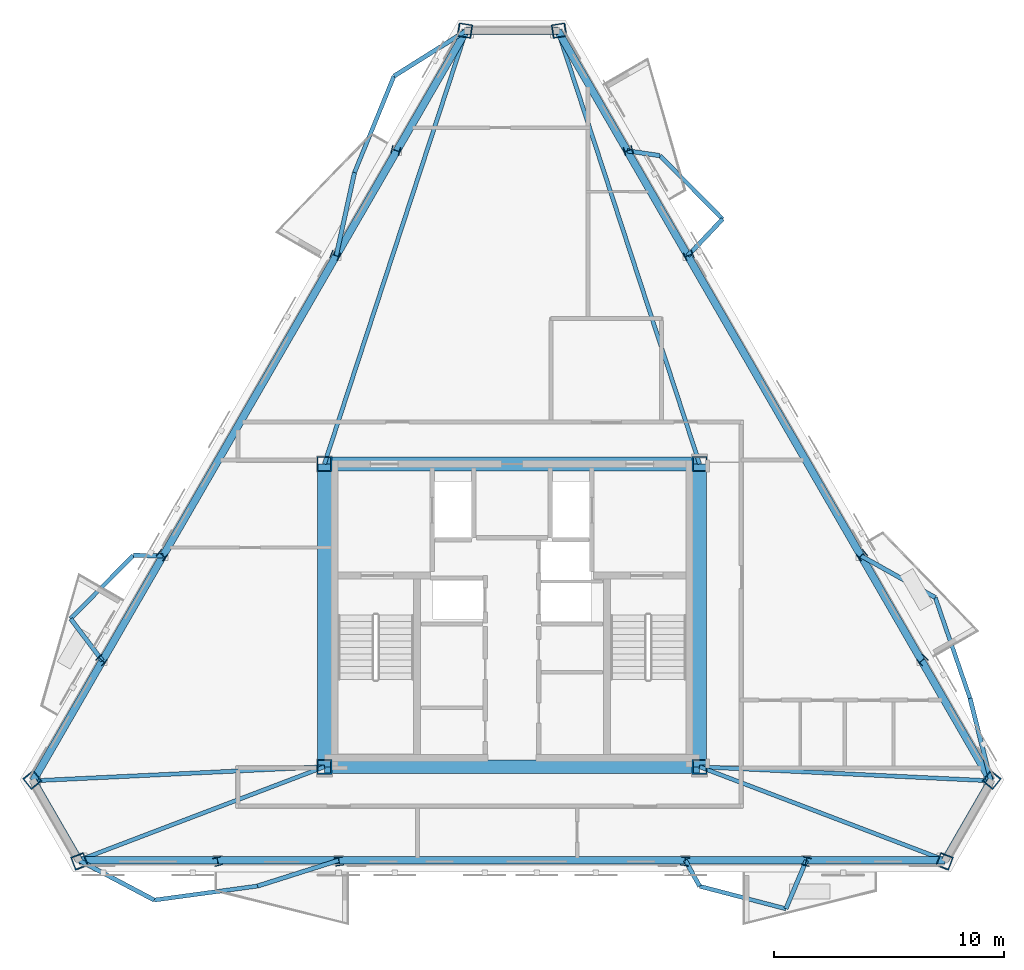
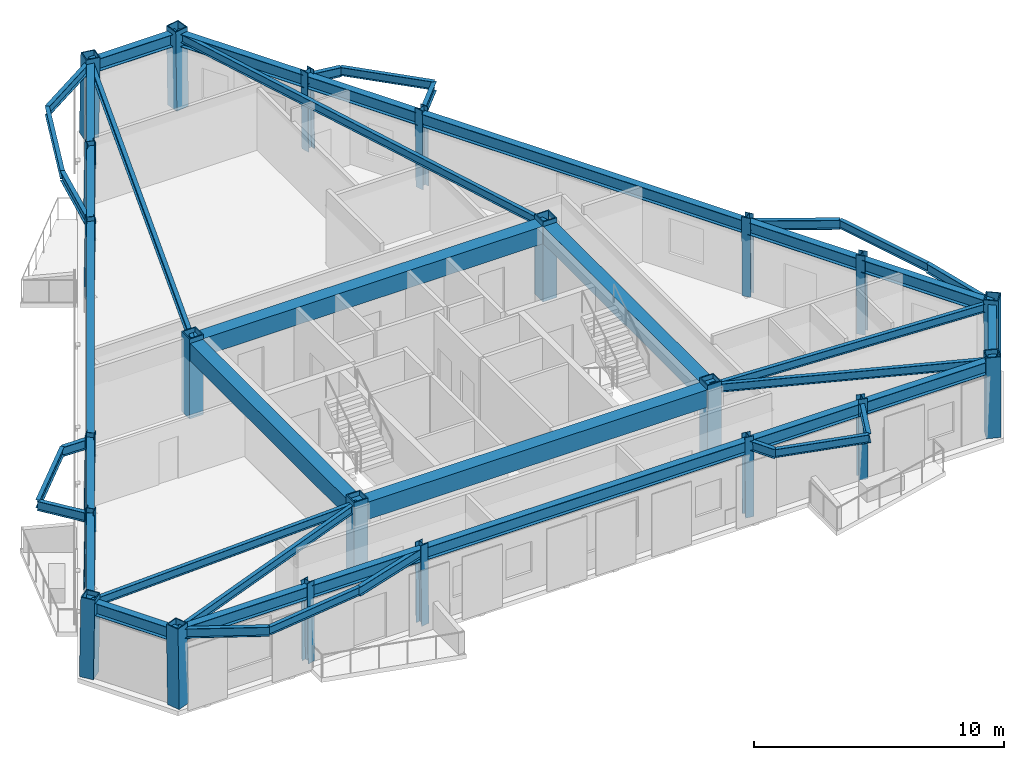
# One storey, part 1 of 9: 46 beams, 22 columns.
"""IFC4 building model written with IfcOpenShell, lengths in metres."""

from ifc_helpers import new_model, si_unit, direction, frame, origin, origin_2d, place, context, subcontext, project, spatial, rectangle, hollow_rectangle, i_section, extrude, material, material_profile, profile_set, type_object, element, save


model = new_model("IFC4")

# Units and contexts
model_context = context("Model", 3, precision=1e-05, world=origin(), true_north=direction((0.0, 1.0)))
body_context = subcontext(model_context, "Body", "Model", "MODEL_VIEW")
ifc_project = project(units=[si_unit("LENGTHUNIT", "METRE"), si_unit("AREAUNIT", "SQUARE_METRE"), si_unit("VOLUMEUNIT", "CUBIC_METRE"), si_unit("PLANEANGLEUNIT", "RADIAN"), si_unit("MASSUNIT", "GRAM", prefix="KILO")], contexts=[model_context])

# Site, building, storey
site_placement = place(None, origin())
site = spatial("IfcSite", under=ifc_project, at=site_placement, CompositionType="ELEMENT")
building_placement = place(site_placement, origin())
building = spatial("IfcBuilding", under=site, at=building_placement, Name="Oramaril Tower", CompositionType="ELEMENT")
storey_placement = place(building_placement, frame((0.0, 0.0, 292.800048828125)))
storey = spatial("IfcBuildingStorey", under=building, at=storey_placement, Name="L77", CompositionType="ELEMENT", Elevation=292.800048828125)

# Columns
ifc_material_1 = material(Name="Steel ASTM A572 Gr 50", Category="steel")
ifc_material_profile_1 = material_profile(ifc_material_1, hollow_rectangle(XDim=0.64990234375, YDim=0.64990234375, WallThickness=0.050048828125, at=origin_2d()), Name="BOX650X650X50")
ifc_profile_set_1 = profile_set([ifc_material_profile_1], Name="Steel ASTM A572 Gr 50")
column_type_1 = type_object("IfcColumnType", Name="CT-CC5", PredefinedType="COLUMN", material=ifc_profile_set_1)
for number, where, z_axis, x_axis, name in (
    (1, (29.35009765625, 11.0, 0.0), (0.0, 0.0, 1.0), (1.0, 0.0, 0.0), "L77 Core Column CC-1"),
    (2, (45.64990234375, 11.0, 0.0), (0.0, 0.0, 1.0), (1.0, 0.0, 0.0), "L77 Core Column CC-2"),
    (3, (45.64990234375, 24.14990234375, 0.0), (0.0, 0.0, 1.0), (1.0, 0.0, 0.0), "L77 Core Column CC-3"),
    (4, (29.35009765625, 24.14990234375, 0.0), (0.0, 0.0, 1.0), (1.0, 0.0, 0.0), "L77 Core Column CC-4"),
):
    element("IfcColumn", number, at=place(storey_placement, frame(where, z_axis=z_axis, x_axis=x_axis)), inside=storey, type_object=column_type_1, Name=name, PredefinedType="COLUMN", context=body_context, shape_type="SweptSolid", body=[
        extrude(hollow_rectangle(XDim=0.64990234375, YDim=0.64990234375, WallThickness=0.050048828125, at=origin_2d()), origin(), (0.0, 0.0, 1.0), 3.89990234375),
    ])
ifc_material_2 = material(Name="Steel ASTM A572 Gr 50", Category="steel")
ifc_material_profile_2 = material_profile(ifc_material_2, hollow_rectangle(XDim=0.60009765625, YDim=0.60009765625, WallThickness=0.044921875, at=origin_2d()), Name="BOX600X600X45")
ifc_profile_set_2 = profile_set([ifc_material_profile_2], Name="Steel ASTM A572 Gr 50")
column_type_2 = type_object("IfcColumnType", Name="CT-TC5", PredefinedType="COLUMN", material=ifc_profile_set_2)
for number, where, z_axis, x_axis, name in (
    (5, (16.66259765625, 10.439208984375, 0.00439453125), (0.009786734483, -0.012170682627, 0.999878039719), (0.779298739591, 0.626652594722, 0.0), "L77 Tube Column TC-01"),
    (6, (18.71484375, 6.884521484375, 0.00439453125), (-0.005646188338, 0.014617354253, 0.999877219218), (-0.932828720019, -0.360320106445, 0.0), "L77 Tube Column TC-02"),
    (7, (56.28515625, 6.884521484375, 0.00439453125), (0.005646188338, 0.014617354253, 0.999877219218), (-0.932828720019, 0.360320106445, 0.0), "L77 Tube Column TC-03"),
    (8, (58.33740234375, 10.439208984375, 0.00439453125), (-0.009786734483, -0.012170682627, 0.999878039719), (0.779298739591, -0.626652594722, 0.0), "L77 Tube Column TC-04"),
    (9, (39.55224609375, 42.97607421875, 0.00439453125), (-0.015432927819, -0.0023839482, 0.999878063331), (0.152660925897, -0.988278625543, 0.0), "L77 Tube Column TC-05"),
    (10, (35.44775390625, 42.97607421875, 0.00439453125), (0.015432927819, -0.0023839482, 0.999878063331), (0.152660925897, 0.988278625543, 0.0), "L77 Tube Column TC-06"),
):
    element("IfcColumn", number, at=place(storey_placement, frame(where, z_axis=z_axis, x_axis=x_axis)), inside=storey, type_object=column_type_2, Name=name, PredefinedType="COLUMN", context=body_context, shape_type="SweptSolid", body=[
        extrude(hollow_rectangle(XDim=0.60009765625, YDim=0.60009765625, WallThickness=0.044921875, at=origin_2d()), origin(), (0.0, 0.0, 1.0), 3.8916015625),
    ])
ifc_material_3 = material(Name="Steel ASTM A572 Gr 50", Category="steel")
ifc_material_profile_3 = material_profile(ifc_material_3, i_section(OverallWidth=0.373046875, OverallDepth=0.373046875, WebThickness=0.016357421875, FlangeThickness=0.026123046875, at=origin_2d()), Name="W14X132")
ifc_profile_set_3 = profile_set([ifc_material_profile_3], Name="Steel ASTM A572 Gr 50")
column_type_3 = type_object("IfcColumnType", Name="CT-TF5", PredefinedType="COLUMN", material=ifc_profile_set_3)
for number, where, z_axis, x_axis, name in (
    (11, (24.72607421875, 6.884521484375, 0.00439453125), (-0.003826893962, 0.014617480216, 0.999885835561), (-0.967396447645, -0.253266881143, 0.0), "L77 Tube Column TC-07"),
    (12, (29.986083984375, 6.884521484375, 0.00439453125), (-0.002258505575, 0.014617549974, 0.999890607209), (-0.988273422333, -0.152694606026, 0.0), "L77 Tube Column TC-08"),
    (13, (45.013916015625, 6.884521484375, 0.00439453125), (0.002258505575, 0.014617549974, 0.999890607209), (-0.988273422333, 0.152694606026, 0.0), "L77 Tube Column TC-09"),
    (14, (50.27392578125, 6.884521484375, 0.00439453125), (0.003826893962, 0.014617480216, 0.999885835561), (-0.967396447645, 0.253266881143, 0.0), "L77 Tube Column TC-10"),
    (15, (55.331787109375, 15.645263671875, 0.00439453125), (-0.010727854679, -0.010602382694, 0.999886244837), (0.70293516813, -0.711253927516, 0.0), "L77 Tube Column TC-11"),
    (16, (52.701904296875, 20.2001953125, 0.00439453125), (-0.011543475667, -0.009222233277, 0.999890843334), (0.624177092803, -0.781282891672, 0.0), "L77 Tube Column TC-12"),
    (17, (45.187744140625, 33.215087890625, 0.00439453125), (-0.013739253038, -0.005332586796, 0.999891392324), (0.36182991271, -0.932244128042, 0.0), "L77 Tube Column TC-13"),
    (18, (42.557861328125, 37.770263671875, 0.00439453125), (-0.014554750465, -0.003952367583, 0.999886262547), (0.26206132345, -0.965051222864, 0.0), "L77 Tube Column TC-14"),
    (19, (32.442138671875, 37.770263671875, 0.00439453125), (0.014554750465, -0.003952367583, 0.999886262547), (0.26206132345, 0.965051222864, 0.0), "L77 Tube Column TC-15"),
    (20, (29.812255859375, 33.215087890625, 0.00439453125), (0.013739253038, -0.005332586796, 0.999891392324), (0.36182991271, 0.932244128042, 0.0), "L77 Tube Column TC-16"),
    (21, (22.298095703125, 20.2001953125, 0.00439453125), (0.011543475667, -0.009222233277, 0.999890843334), (0.624177092803, 0.781282891672, 0.0), "L77 Tube Column TC-17"),
    (22, (19.668212890625, 15.645263671875, 0.00439453125), (0.010727854679, -0.010602382694, 0.999886244837), (0.70293516813, 0.711253927516, 0.0), "L77 Tube Column TC-18"),
):
    element("IfcColumn", number, at=place(storey_placement, frame(where, z_axis=z_axis, x_axis=x_axis)), inside=storey, type_object=column_type_3, Name=name, PredefinedType="COLUMN", context=body_context, shape_type="SweptSolid", body=[
        extrude(i_section(OverallWidth=0.373046875, OverallDepth=0.373046875, WebThickness=0.016357421875, FlangeThickness=0.026123046875, at=origin_2d()), origin(), (0.0, 0.0, 1.0), 3.8916015625),
    ])

# Beams
ifc_material_4 = material(Name="Steel ASTM A572 Gr 50", Category="steel")
ifc_material_profile_4 = material_profile(ifc_material_4, i_section(OverallWidth=0.19091796875, OverallDepth=0.45703125, WebThickness=0.009033203125, FlangeThickness=0.014404296875, at=origin_2d()), Name="W18X50")
ifc_profile_set_4 = profile_set([ifc_material_profile_4], Name="Steel ASTM A572 Gr 50")
beam_type_1 = type_object("IfcBeamType", Name="BT-BB1", PredefinedType="BEAM", material=ifc_profile_set_4)
beam_1_placement = place(storey_placement, frame((18.69287109375, 6.94140625, 3.451416015625), z_axis=(0.884062224735, -0.467369214644, 0.0), x_axis=(0.467369214644, 0.884062224735, 0.0)))
element("IfcBeam", 23, at=beam_1_placement, inside=storey, type_object=beam_type_1, Name="L77 Balcony Column-Framed Cantilever 01.1", PredefinedType="BEAM", context=body_context, shape_type="SweptSolid", body=[
    extrude(i_section(OverallWidth=0.19091796875, OverallDepth=0.45703125, WebThickness=0.009033203125, FlangeThickness=0.014404296875, at=origin_2d()), origin(), (0.0, 0.0, 1.0), 3.699951171875),
])
beam_2_placement = place(storey_placement, frame((29.977294921875, 6.94140625, 3.451416015625), z_axis=(-0.953118830108, -0.302596258558, 0.0), x_axis=(0.302596258558, -0.953118830108, 0.0)))
element("IfcBeam", 24, at=beam_2_placement, inside=storey, type_object=beam_type_1, Name="L77 Balcony Column-Framed Cantilever 01.2", PredefinedType="BEAM", context=body_context, shape_type="SweptSolid", body=[
    extrude(i_section(OverallWidth=0.19091796875, OverallDepth=0.45703125, WebThickness=0.009033203125, FlangeThickness=0.014404296875, at=origin_2d()), origin(), (0.0, 0.0, 1.0), 3.7001953125),
])
beam_3_placement = place(storey_placement, frame((45.022705078125, 6.94140625, 3.451416015625), z_axis=(0.486413490626, -0.873728742881, 0.0), x_axis=(0.873728742881, 0.486413490626, 0.0)))
element("IfcBeam", 25, at=beam_3_placement, inside=storey, type_object=beam_type_1, Name="L77 Balcony Column-Framed Cantilever 02.1", PredefinedType="BEAM", context=body_context, shape_type="SweptSolid", body=[
    extrude(i_section(OverallWidth=0.19091796875, OverallDepth=0.45703125, WebThickness=0.009033203125, FlangeThickness=0.014404296875, at=origin_2d()), origin(), (0.0, 0.0, 1.0), 1.291015625),
])
beam_4_placement = place(storey_placement, frame((50.288818359375, 6.94140625, 3.451416015625), z_axis=(-0.390467696953, -0.920616629025, 0.0), x_axis=(0.920616629025, -0.390467696953, 0.0)))
element("IfcBeam", 26, at=beam_4_placement, inside=storey, type_object=beam_type_1, Name="L77 Balcony Column-Framed Cantilever 02.2", PredefinedType="BEAM", context=body_context, shape_type="SweptSolid", body=[
    extrude(i_section(OverallWidth=0.19091796875, OverallDepth=0.45703125, WebThickness=0.009033203125, FlangeThickness=0.014404296875, at=origin_2d()), origin(), (0.0, 0.0, 1.0), 2.28955078125),
])
beam_5_placement = place(storey_placement, frame((58.29931640625, 10.391845703125, 3.451416015625), z_axis=(-0.245391254889, 0.969424123913, 0.0), x_axis=(-0.969424123913, -0.245391254889, 0.0)))
element("IfcBeam", 27, at=beam_5_placement, inside=storey, type_object=beam_type_1, Name="L77 Balcony Column-Framed Cantilever 03.1", PredefinedType="BEAM", context=body_context, shape_type="SweptSolid", body=[
    extrude(i_section(OverallWidth=0.19091796875, OverallDepth=0.45703125, WebThickness=0.009033203125, FlangeThickness=0.014404296875, at=origin_2d()), origin(), (0.0, 0.0, 1.0), 3.699951171875),
])
beam_6_placement = place(storey_placement, frame((52.656982421875, 20.164306640625, 3.451416015625), z_axis=(0.871925967651, -0.489637730302, 0.0), x_axis=(0.489637730302, 0.871925967651, 0.0)))
element("IfcBeam", 28, at=beam_6_placement, inside=storey, type_object=beam_type_1, Name="L77 Balcony Column-Framed Cantilever 03.2", PredefinedType="BEAM", context=body_context, shape_type="SweptSolid", body=[
    extrude(i_section(OverallWidth=0.19091796875, OverallDepth=0.45703125, WebThickness=0.009033203125, FlangeThickness=0.014404296875, at=origin_2d()), origin(), (0.0, 0.0, 1.0), 3.7001953125),
])
beam_7_placement = place(storey_placement, frame((45.13427734375, 33.1943359375, 3.451416015625), z_axis=(0.687301174817, 0.726372559432, 0.0), x_axis=(-0.726372559432, 0.687301174817, 0.0)))
element("IfcBeam", 29, at=beam_7_placement, inside=storey, type_object=beam_type_1, Name="L77 Balcony Column-Framed Cantilever 04.1", PredefinedType="BEAM", context=body_context, shape_type="SweptSolid", body=[
    extrude(i_section(OverallWidth=0.19091796875, OverallDepth=0.45703125, WebThickness=0.009033203125, FlangeThickness=0.014404296875, at=origin_2d()), origin(), (0.0, 0.0, 1.0), 2.199462890625),
])
beam_8_placement = place(storey_placement, frame((42.501220703125, 37.7548828125, 3.451416015625), z_axis=(0.989256212051, -0.146192157515, 0.0), x_axis=(0.146192157515, 0.989256212051, 0.0)))
element("IfcBeam", 30, at=beam_8_placement, inside=storey, type_object=beam_type_1, Name="L77 Balcony Column-Framed Cantilever 04.2", PredefinedType="BEAM", context=body_context, shape_type="SweptSolid", body=[
    extrude(i_section(OverallWidth=0.19091796875, OverallDepth=0.45703125, WebThickness=0.009033203125, FlangeThickness=0.014404296875, at=origin_2d()), origin(), (0.0, 0.0, 1.0), 1.439453125),
])
for number, where, z_axis, x_axis, name in (
    (31, (35.5078125, 42.966796875, 3.451416015625), (-0.846798752878, -0.531913406604, 0.0), (0.531913406604, -0.846798752878, 0.0), "L77 Balcony Column-Framed Cantilever 05.1"),
    (32, (29.86572265625, 33.1943359375, 3.451416015625), (0.214456428743, 0.976733556386, 0.0), (-0.976733556386, 0.214456428743, 0.0), "L77 Balcony Column-Framed Cantilever 05.2"),
):
    element("IfcBeam", number, at=place(storey_placement, frame(where, z_axis=z_axis, x_axis=x_axis)), inside=storey, type_object=beam_type_1, Name=name, PredefinedType="BEAM", context=body_context, shape_type="SweptSolid", body=[
        extrude(i_section(OverallWidth=0.19091796875, OverallDepth=0.45703125, WebThickness=0.009033203125, FlangeThickness=0.014404296875, at=origin_2d()), origin(), (0.0, 0.0, 1.0), 3.699951171875),
    ])
beam_9_placement = place(storey_placement, frame((22.343017578125, 20.164306640625, 3.451416015625), z_axis=(-0.999873856899, 0.015883018907, 0.0), x_axis=(-0.015883018907, -0.999873856899, 0.0)))
element("IfcBeam", 33, at=beam_9_placement, inside=storey, type_object=beam_type_1, Name="L77 Balcony Column-Framed Cantilever 06.1", PredefinedType="BEAM", context=body_context, shape_type="SweptSolid", body=[
    extrude(i_section(OverallWidth=0.19091796875, OverallDepth=0.45703125, WebThickness=0.009033203125, FlangeThickness=0.014404296875, at=origin_2d()), origin(), (0.0, 0.0, 1.0), 1.291259765625),
])
beam_10_placement = place(storey_placement, frame((19.7099609375, 15.60400390625, 3.451416015625), z_axis=(-0.602113349222, 0.798410617846, 0.0), x_axis=(-0.798410617846, -0.602113349222, 0.0)))
element("IfcBeam", 34, at=beam_10_placement, inside=storey, type_object=beam_type_1, Name="L77 Balcony Column-Framed Cantilever 06.2", PredefinedType="BEAM", context=body_context, shape_type="SweptSolid", body=[
    extrude(i_section(OverallWidth=0.19091796875, OverallDepth=0.45703125, WebThickness=0.009033203125, FlangeThickness=0.014404296875, at=origin_2d()), origin(), (0.0, 0.0, 1.0), 2.289794921875),
])
ifc_material_5 = material(Name="Concrete C50/60", Category="concrete")
ifc_material_profile_5 = material_profile(ifc_material_5, rectangle(XDim=0.60009765625, YDim=0.85009765625, at=origin_2d()), Name="CB600X850")
ifc_profile_set_5 = profile_set([ifc_material_profile_5], Name="Concrete C50/60")
beam_type_2 = type_object("IfcBeamType", Name="BT-CB2", PredefinedType="BEAM", material=ifc_profile_set_5)
beam_11_placement = place(storey_placement, frame((29.35009765625, 11.0, 3.2548828125), z_axis=(1.0, 0.0, 0.0), x_axis=(0.0, 1.0, 0.0)))
element("IfcBeam", 35, at=beam_11_placement, inside=storey, type_object=beam_type_2, Name="L77 Core Header Beam CB-1", PredefinedType="BEAM", context=body_context, shape_type="SweptSolid", body=[
    extrude(rectangle(XDim=0.60009765625, YDim=0.85009765625, at=origin_2d()), origin(), (0.0, 0.0, 1.0), 16.2998046875),
])
beam_12_placement = place(storey_placement, frame((45.64990234375, 11.0, 3.2548828125), z_axis=(0.0, 1.0, 0.0), x_axis=(-1.0, 0.0, 0.0)))
element("IfcBeam", 36, at=beam_12_placement, inside=storey, type_object=beam_type_2, Name="L77 Core Header Beam CB-2", PredefinedType="BEAM", context=body_context, shape_type="SweptSolid", body=[
    extrude(rectangle(XDim=0.60009765625, YDim=0.85009765625, at=origin_2d()), origin(), (0.0, 0.0, 1.0), 13.14990234375),
])
beam_13_placement = place(storey_placement, frame((45.64990234375, 24.14990234375, 3.2548828125), z_axis=(-1.0, 0.0, 0.0), x_axis=(0.0, -1.0, 0.0)))
element("IfcBeam", 37, at=beam_13_placement, inside=storey, type_object=beam_type_2, Name="L77 Core Header Beam CB-3", PredefinedType="BEAM", context=body_context, shape_type="SweptSolid", body=[
    extrude(rectangle(XDim=0.60009765625, YDim=0.85009765625, at=origin_2d()), origin(), (0.0, 0.0, 1.0), 16.2998046875),
])
beam_14_placement = place(storey_placement, frame((29.35009765625, 24.14990234375, 3.2548828125), z_axis=(0.0, -1.0, 0.0), x_axis=(1.0, 0.0, 0.0)))
element("IfcBeam", 38, at=beam_14_placement, inside=storey, type_object=beam_type_2, Name="L77 Core Header Beam CB-4", PredefinedType="BEAM", context=body_context, shape_type="SweptSolid", body=[
    extrude(rectangle(XDim=0.60009765625, YDim=0.85009765625, at=origin_2d()), origin(), (0.0, 0.0, 1.0), 13.14990234375),
])
ifc_material_6 = material(Name="Steel ASTM A572 Gr 50", Category="steel")
ifc_material_profile_6 = material_profile(ifc_material_6, i_section(OverallWidth=0.177978515625, OverallDepth=0.404052734375, WebThickness=0.007568359375, FlangeThickness=0.010986328125, at=origin_2d()), Name="W16X36")
ifc_profile_set_6 = profile_set([ifc_material_profile_6], Name="Steel ASTM A572 Gr 50")
beam_type_3 = type_object("IfcBeamType", Name="BT-SB1", PredefinedType="BEAM", material=ifc_profile_set_6)
beam_15_placement = place(storey_placement, frame((29.35009765625, 11.0, 3.47802734375), z_axis=(-0.998846268764, -0.048022196701, 0.0), x_axis=(0.048022196701, -0.998846268764, 0.0)))
element("IfcBeam", 39, at=beam_15_placement, inside=storey, type_object=beam_type_3, Name="L77 Radial Primary Beam RB-01", PredefinedType="BEAM", context=body_context, shape_type="SweptSolid", body=[
    extrude(i_section(OverallWidth=0.177978515625, OverallDepth=0.404052734375, WebThickness=0.007568359375, FlangeThickness=0.010986328125, at=origin_2d()), origin(), (0.0, 0.0, 1.0), 12.6640625),
])
for number, where, z_axis, x_axis, name in (
    (40, (29.35009765625, 11.0, 3.47802734375), (-0.934525713876, -0.355895616867, 0.0), (0.355895616867, -0.934525713876, 0.0), "L77 Radial Primary Beam RB-02"),
    (41, (45.64990234375, 11.0, 3.47802734375), (0.934525713876, -0.355895616867, 0.0), (0.355895616867, 0.934525713876, 0.0), "L77 Radial Primary Beam RB-03"),
):
    element("IfcBeam", number, at=place(storey_placement, frame(where, z_axis=z_axis, x_axis=x_axis)), inside=storey, type_object=beam_type_3, Name=name, PredefinedType="BEAM", context=body_context, shape_type="SweptSolid", body=[
        extrude(i_section(OverallWidth=0.177978515625, OverallDepth=0.404052734375, WebThickness=0.007568359375, FlangeThickness=0.010986328125, at=origin_2d()), origin(), (0.0, 0.0, 1.0), 11.40380859375),
    ])
beam_16_placement = place(storey_placement, frame((45.64990234375, 11.0, 3.47802734375), z_axis=(0.998846268764, -0.048022196701, 0.0), x_axis=(0.048022196701, 0.998846268764, 0.0)))
element("IfcBeam", 42, at=beam_16_placement, inside=storey, type_object=beam_type_3, Name="L77 Radial Primary Beam RB-04", PredefinedType="BEAM", context=body_context, shape_type="SweptSolid", body=[
    extrude(i_section(OverallWidth=0.177978515625, OverallDepth=0.404052734375, WebThickness=0.007568359375, FlangeThickness=0.010986328125, at=origin_2d()), origin(), (0.0, 0.0, 1.0), 12.6640625),
])
for number, where, z_axis, x_axis, name in (
    (43, (45.64990234375, 24.14990234375, 3.47802734375), (-0.311014353977, 0.950405214432, 0.0), (-0.950405214432, -0.311014353977, 0.0), "L77 Radial Primary Beam RB-05"),
    (44, (29.35009765625, 24.14990234375, 3.47802734375), (0.311014353977, 0.950405214432, 0.0), (-0.950405214432, 0.311014353977, 0.0), "L77 Radial Primary Beam RB-06"),
):
    element("IfcBeam", number, at=place(storey_placement, frame(where, z_axis=z_axis, x_axis=x_axis)), inside=storey, type_object=beam_type_3, Name=name, PredefinedType="BEAM", context=body_context, shape_type="SweptSolid", body=[
        extrude(i_section(OverallWidth=0.177978515625, OverallDepth=0.404052734375, WebThickness=0.007568359375, FlangeThickness=0.010986328125, at=origin_2d()), origin(), (0.0, 0.0, 1.0), 19.798828125),
    ])
beam_17_placement = place(storey_placement, frame((21.9638671875, 5.212158203125, 3.47802734375), z_axis=(0.990895670857, 0.134631977915, 0.0), x_axis=(-0.134631977915, 0.990895670857, 0.0)))
element("IfcBeam", 45, at=beam_17_placement, inside=storey, type_object=beam_type_3, Name="L77 Balcony Edge Tie Beam 01", PredefinedType="BEAM", context=body_context, shape_type="SweptSolid", body=[
    extrude(i_section(OverallWidth=0.177978515625, OverallDepth=0.404052734375, WebThickness=0.007568359375, FlangeThickness=0.010986328125, at=origin_2d()), origin(), (0.0, 0.0, 1.0), 4.528076171875),
])
beam_18_placement = place(storey_placement, frame((45.650634765625, 5.8134765625, 3.47802734375), z_axis=(0.967411967632, -0.253207592467, 0.0), x_axis=(0.253207592467, 0.967411967632, 0.0)))
element("IfcBeam", 46, at=beam_18_placement, inside=storey, type_object=beam_type_3, Name="L77 Balcony Edge Tie Beam 02", PredefinedType="BEAM", context=body_context, shape_type="SweptSolid", body=[
    extrude(i_section(OverallWidth=0.177978515625, OverallDepth=0.404052734375, WebThickness=0.007568359375, FlangeThickness=0.010986328125, at=origin_2d()), origin(), (0.0, 0.0, 1.0), 3.870361328125),
])
beam_19_placement = place(storey_placement, frame((57.391357421875, 13.978759765625, 3.47802734375), z_axis=(-0.325963036178, 0.945382514671, 0.0), x_axis=(-0.945382514671, -0.325963036178, 0.0)))
element("IfcBeam", 47, at=beam_19_placement, inside=storey, type_object=beam_type_3, Name="L77 Balcony Edge Tie Beam 03", PredefinedType="BEAM", context=body_context, shape_type="SweptSolid", body=[
    extrude(i_section(OverallWidth=0.177978515625, OverallDepth=0.404052734375, WebThickness=0.007568359375, FlangeThickness=0.010986328125, at=origin_2d()), origin(), (0.0, 0.0, 1.0), 4.62646484375),
])
beam_20_placement = place(storey_placement, frame((46.64599609375, 34.7919921875, 3.47802734375), z_axis=(-0.702994511648, 0.71119527318, 0.0), x_axis=(-0.71119527318, -0.702994511648, 0.0)))
element("IfcBeam", 48, at=beam_20_placement, inside=storey, type_object=beam_type_3, Name="L77 Balcony Edge Tie Beam 04", PredefinedType="BEAM", context=body_context, shape_type="SweptSolid", body=[
    extrude(i_section(OverallWidth=0.177978515625, OverallDepth=0.404052734375, WebThickness=0.007568359375, FlangeThickness=0.010986328125, at=origin_2d()), origin(), (0.0, 0.0, 1.0), 3.8701171875),
])
beam_21_placement = place(storey_placement, frame((32.374755859375, 40.998779296875, 3.47802734375), z_axis=(-0.378861663347, -0.925453315973, 0.0), x_axis=(0.925453315973, -0.378861663347, 0.0)))
element("IfcBeam", 49, at=beam_21_placement, inside=storey, type_object=beam_type_3, Name="L77 Balcony Edge Tie Beam 05", PredefinedType="BEAM", context=body_context, shape_type="SweptSolid", body=[
    extrude(i_section(OverallWidth=0.177978515625, OverallDepth=0.404052734375, WebThickness=0.007568359375, FlangeThickness=0.010986328125, at=origin_2d()), origin(), (0.0, 0.0, 1.0), 4.5283203125),
])
beam_22_placement = place(storey_placement, frame((21.052001953125, 20.184814453125, 3.47802734375), z_axis=(-0.702962973102, -0.711226446673, 0.0), x_axis=(0.711226446673, -0.702962973102, 0.0)))
element("IfcBeam", 50, at=beam_22_placement, inside=storey, type_object=beam_type_3, Name="L77 Balcony Edge Tie Beam 06", PredefinedType="BEAM", context=body_context, shape_type="SweptSolid", body=[
    extrude(i_section(OverallWidth=0.177978515625, OverallDepth=0.404052734375, WebThickness=0.007568359375, FlangeThickness=0.010986328125, at=origin_2d()), origin(), (0.0, 0.0, 1.0), 3.870361328125),
])
ifc_material_7 = material(Name="Steel ASTM A572 Gr 50", Category="steel")
ifc_material_profile_7 = material_profile(ifc_material_7, i_section(OverallWidth=0.324951171875, OverallDepth=0.612060546875, WebThickness=0.0126953125, FlangeThickness=0.01904296875, at=origin_2d()), Name="W24X104")
ifc_profile_set_7 = profile_set([ifc_material_profile_7], Name="Steel ASTM A572 Gr 50")
beam_type_4 = type_object("IfcBeamType", Name="BT-SP5", PredefinedType="SPANDREL", material=ifc_profile_set_7)
beam_23_placement = place(storey_placement, frame((16.70068359375, 10.391845703125, 3.3740234375), z_axis=(0.500014184414, -0.866017214255, 0.0), x_axis=(0.866017214255, 0.500014184414, 0.0)))
element("IfcBeam", 51, at=beam_23_placement, inside=storey, type_object=beam_type_4, Name="L77 Perimeter Spandrel 01", PredefinedType="SPANDREL", context=body_context, shape_type="SweptSolid", body=[
    extrude(i_section(OverallWidth=0.324951171875, OverallDepth=0.612060546875, WebThickness=0.0126953125, FlangeThickness=0.01904296875, at=origin_2d()), origin(), (0.0, 0.0, 1.0), 3.984375),
])
beam_24_placement = place(storey_placement, frame((18.69287109375, 6.94140625, 3.3740234375), z_axis=(1.0, 0.0, 0.0), x_axis=(0.0, 1.0, 0.0)))
element("IfcBeam", 52, at=beam_24_placement, inside=storey, type_object=beam_type_4, Name="L77 Perimeter Spandrel 02", PredefinedType="SPANDREL", context=body_context, shape_type="SweptSolid", body=[
    extrude(i_section(OverallWidth=0.324951171875, OverallDepth=0.612060546875, WebThickness=0.0126953125, FlangeThickness=0.01904296875, at=origin_2d()), origin(), (0.0, 0.0, 1.0), 6.018310546875),
])
beam_25_placement = place(storey_placement, frame((24.711181640625, 6.94140625, 3.3740234375), z_axis=(1.0, 0.0, 0.0), x_axis=(0.0, 1.0, 0.0)))
element("IfcBeam", 53, at=beam_25_placement, inside=storey, type_object=beam_type_4, Name="L77 Perimeter Spandrel 03", PredefinedType="SPANDREL", context=body_context, shape_type="SweptSolid", body=[
    extrude(i_section(OverallWidth=0.324951171875, OverallDepth=0.612060546875, WebThickness=0.0126953125, FlangeThickness=0.01904296875, at=origin_2d()), origin(), (0.0, 0.0, 1.0), 5.26611328125),
])
beam_26_placement = place(storey_placement, frame((29.977294921875, 6.94140625, 3.3740234375), z_axis=(1.0, 0.0, 0.0), x_axis=(0.0, 1.0, 0.0)))
element("IfcBeam", 54, at=beam_26_placement, inside=storey, type_object=beam_type_4, Name="L77 Perimeter Spandrel 04", PredefinedType="SPANDREL", context=body_context, shape_type="SweptSolid", body=[
    extrude(i_section(OverallWidth=0.324951171875, OverallDepth=0.612060546875, WebThickness=0.0126953125, FlangeThickness=0.01904296875, at=origin_2d()), origin(), (0.0, 0.0, 1.0), 15.04541015625),
])
beam_27_placement = place(storey_placement, frame((45.022705078125, 6.94140625, 3.3740234375), z_axis=(1.0, 0.0, 0.0), x_axis=(0.0, 1.0, 0.0)))
element("IfcBeam", 55, at=beam_27_placement, inside=storey, type_object=beam_type_4, Name="L77 Perimeter Spandrel 05", PredefinedType="SPANDREL", context=body_context, shape_type="SweptSolid", body=[
    extrude(i_section(OverallWidth=0.324951171875, OverallDepth=0.612060546875, WebThickness=0.0126953125, FlangeThickness=0.01904296875, at=origin_2d()), origin(), (0.0, 0.0, 1.0), 5.26611328125),
])
beam_28_placement = place(storey_placement, frame((50.288818359375, 6.94140625, 3.3740234375), z_axis=(1.0, 0.0, 0.0), x_axis=(0.0, 1.0, 0.0)))
element("IfcBeam", 56, at=beam_28_placement, inside=storey, type_object=beam_type_4, Name="L77 Perimeter Spandrel 06", PredefinedType="SPANDREL", context=body_context, shape_type="SweptSolid", body=[
    extrude(i_section(OverallWidth=0.324951171875, OverallDepth=0.612060546875, WebThickness=0.0126953125, FlangeThickness=0.01904296875, at=origin_2d()), origin(), (0.0, 0.0, 1.0), 6.018310546875),
])
beam_29_placement = place(storey_placement, frame((56.30712890625, 6.94140625, 3.3740234375), z_axis=(0.500014184414, 0.866017214255, 0.0), x_axis=(-0.866017214255, 0.500014184414, 0.0)))
element("IfcBeam", 57, at=beam_29_placement, inside=storey, type_object=beam_type_4, Name="L77 Perimeter Spandrel 07", PredefinedType="SPANDREL", context=body_context, shape_type="SweptSolid", body=[
    extrude(i_section(OverallWidth=0.324951171875, OverallDepth=0.612060546875, WebThickness=0.0126953125, FlangeThickness=0.01904296875, at=origin_2d()), origin(), (0.0, 0.0, 1.0), 3.984375),
])
beam_30_placement = place(storey_placement, frame((58.29931640625, 10.391845703125, 3.3740234375), z_axis=(-0.500004536271, 0.866022784751, 0.0), x_axis=(-0.866022784751, -0.500004536271, 0.0)))
element("IfcBeam", 58, at=beam_30_placement, inside=storey, type_object=beam_type_4, Name="L77 Perimeter Spandrel 08", PredefinedType="SPANDREL", context=body_context, shape_type="SweptSolid", body=[
    extrude(i_section(OverallWidth=0.324951171875, OverallDepth=0.612060546875, WebThickness=0.0126953125, FlangeThickness=0.01904296875, at=origin_2d()), origin(), (0.0, 0.0, 1.0), 6.0185546875),
])
beam_31_placement = place(storey_placement, frame((55.2900390625, 15.60400390625, 3.3740234375), z_axis=(-0.500023447432, 0.86601186598, 0.0), x_axis=(-0.86601186598, -0.500023447432, 0.0)))
element("IfcBeam", 59, at=beam_31_placement, inside=storey, type_object=beam_type_4, Name="L77 Perimeter Spandrel 09", PredefinedType="SPANDREL", context=body_context, shape_type="SweptSolid", body=[
    extrude(i_section(OverallWidth=0.324951171875, OverallDepth=0.612060546875, WebThickness=0.0126953125, FlangeThickness=0.01904296875, at=origin_2d()), origin(), (0.0, 0.0, 1.0), 5.265869140625),
])
beam_32_placement = place(storey_placement, frame((52.656982421875, 20.164306640625, 3.3740234375), z_axis=(-0.49999073599, 0.866030752297, 0.0), x_axis=(-0.866030752297, -0.49999073599, 0.0)))
element("IfcBeam", 60, at=beam_32_placement, inside=storey, type_object=beam_type_4, Name="L77 Perimeter Spandrel 10", PredefinedType="SPANDREL", context=body_context, shape_type="SweptSolid", body=[
    extrude(i_section(OverallWidth=0.324951171875, OverallDepth=0.612060546875, WebThickness=0.0126953125, FlangeThickness=0.01904296875, at=origin_2d()), origin(), (0.0, 0.0, 1.0), 15.045654296875),
])
beam_33_placement = place(storey_placement, frame((45.13427734375, 33.1943359375, 3.3740234375), z_axis=(-0.500003371769, 0.866023457084, 0.0), x_axis=(-0.866023457084, -0.500003371769, 0.0)))
element("IfcBeam", 61, at=beam_33_placement, inside=storey, type_object=beam_type_4, Name="L77 Perimeter Spandrel 11", PredefinedType="SPANDREL", context=body_context, shape_type="SweptSolid", body=[
    extrude(i_section(OverallWidth=0.324951171875, OverallDepth=0.612060546875, WebThickness=0.0126953125, FlangeThickness=0.01904296875, at=origin_2d()), origin(), (0.0, 0.0, 1.0), 5.26611328125),
])
beam_34_placement = place(storey_placement, frame((42.501220703125, 37.7548828125, 3.3740234375), z_axis=(-0.499991677195, 0.866030208905, 0.0), x_axis=(-0.866030208905, -0.499991677195, 0.0)))
element("IfcBeam", 62, at=beam_34_placement, inside=storey, type_object=beam_type_4, Name="L77 Perimeter Spandrel 12", PredefinedType="SPANDREL", context=body_context, shape_type="SweptSolid", body=[
    extrude(i_section(OverallWidth=0.324951171875, OverallDepth=0.612060546875, WebThickness=0.0126953125, FlangeThickness=0.01904296875, at=origin_2d()), origin(), (0.0, 0.0, 1.0), 6.01806640625),
])
beam_35_placement = place(storey_placement, frame((39.4921875, 42.966796875, 3.3740234375), z_axis=(-1.0, 0.0, 0.0), x_axis=(0.0, -1.0, 0.0)))
element("IfcBeam", 63, at=beam_35_placement, inside=storey, type_object=beam_type_4, Name="L77 Perimeter Spandrel 13", PredefinedType="SPANDREL", context=body_context, shape_type="SweptSolid", body=[
    extrude(i_section(OverallWidth=0.324951171875, OverallDepth=0.612060546875, WebThickness=0.0126953125, FlangeThickness=0.01904296875, at=origin_2d()), origin(), (0.0, 0.0, 1.0), 3.984375),
])
beam_36_placement = place(storey_placement, frame((35.5078125, 42.966796875, 3.3740234375), z_axis=(-0.499991677195, -0.866030208905, 0.0), x_axis=(0.866030208905, -0.499991677195, 0.0)))
element("IfcBeam", 64, at=beam_36_placement, inside=storey, type_object=beam_type_4, Name="L77 Perimeter Spandrel 14", PredefinedType="SPANDREL", context=body_context, shape_type="SweptSolid", body=[
    extrude(i_section(OverallWidth=0.324951171875, OverallDepth=0.612060546875, WebThickness=0.0126953125, FlangeThickness=0.01904296875, at=origin_2d()), origin(), (0.0, 0.0, 1.0), 6.01806640625),
])
beam_37_placement = place(storey_placement, frame((32.498779296875, 37.7548828125, 3.3740234375), z_axis=(-0.500003371769, -0.866023457084, 0.0), x_axis=(0.866023457084, -0.500003371769, 0.0)))
element("IfcBeam", 65, at=beam_37_placement, inside=storey, type_object=beam_type_4, Name="L77 Perimeter Spandrel 15", PredefinedType="SPANDREL", context=body_context, shape_type="SweptSolid", body=[
    extrude(i_section(OverallWidth=0.324951171875, OverallDepth=0.612060546875, WebThickness=0.0126953125, FlangeThickness=0.01904296875, at=origin_2d()), origin(), (0.0, 0.0, 1.0), 5.26611328125),
])
beam_38_placement = place(storey_placement, frame((29.86572265625, 33.1943359375, 3.3740234375), z_axis=(-0.49999073599, -0.866030752297, 0.0), x_axis=(0.866030752297, -0.49999073599, 0.0)))
element("IfcBeam", 66, at=beam_38_placement, inside=storey, type_object=beam_type_4, Name="L77 Perimeter Spandrel 16", PredefinedType="SPANDREL", context=body_context, shape_type="SweptSolid", body=[
    extrude(i_section(OverallWidth=0.324951171875, OverallDepth=0.612060546875, WebThickness=0.0126953125, FlangeThickness=0.01904296875, at=origin_2d()), origin(), (0.0, 0.0, 1.0), 15.045654296875),
])
beam_39_placement = place(storey_placement, frame((22.343017578125, 20.164306640625, 3.3740234375), z_axis=(-0.500023447432, -0.86601186598, 0.0), x_axis=(0.86601186598, -0.500023447432, 0.0)))
element("IfcBeam", 67, at=beam_39_placement, inside=storey, type_object=beam_type_4, Name="L77 Perimeter Spandrel 17", PredefinedType="SPANDREL", context=body_context, shape_type="SweptSolid", body=[
    extrude(i_section(OverallWidth=0.324951171875, OverallDepth=0.612060546875, WebThickness=0.0126953125, FlangeThickness=0.01904296875, at=origin_2d()), origin(), (0.0, 0.0, 1.0), 5.265869140625),
])
beam_40_placement = place(storey_placement, frame((19.7099609375, 15.60400390625, 3.3740234375), z_axis=(-0.500004536271, -0.866022784751, 0.0), x_axis=(0.866022784751, -0.500004536271, 0.0)))
element("IfcBeam", 68, at=beam_40_placement, inside=storey, type_object=beam_type_4, Name="L77 Perimeter Spandrel 18", PredefinedType="SPANDREL", context=body_context, shape_type="SweptSolid", body=[
    extrude(i_section(OverallWidth=0.324951171875, OverallDepth=0.612060546875, WebThickness=0.0126953125, FlangeThickness=0.01904296875, at=origin_2d()), origin(), (0.0, 0.0, 1.0), 6.0185546875),
])

save(model, "model.ifc")
